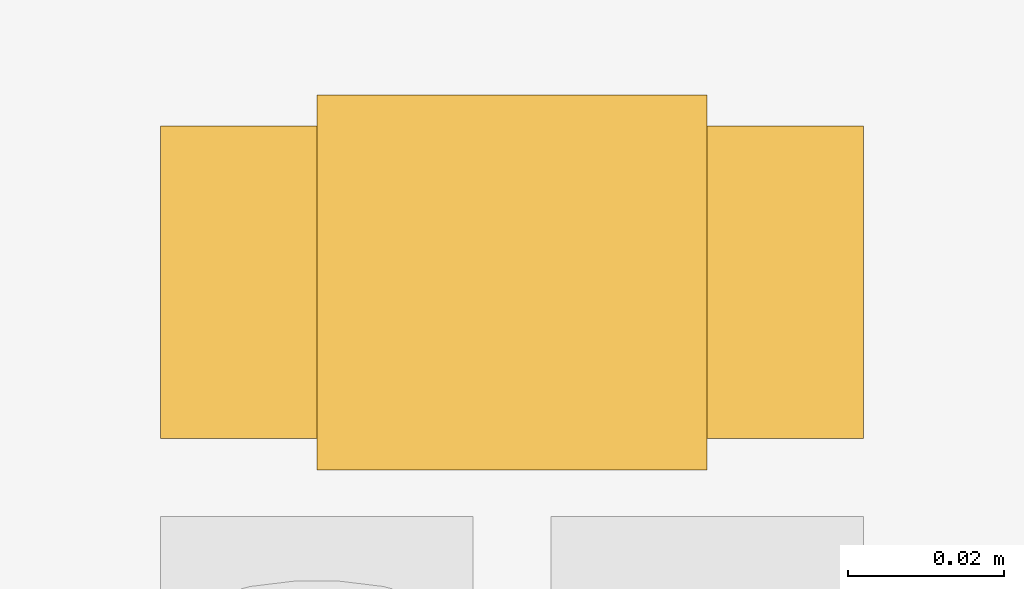
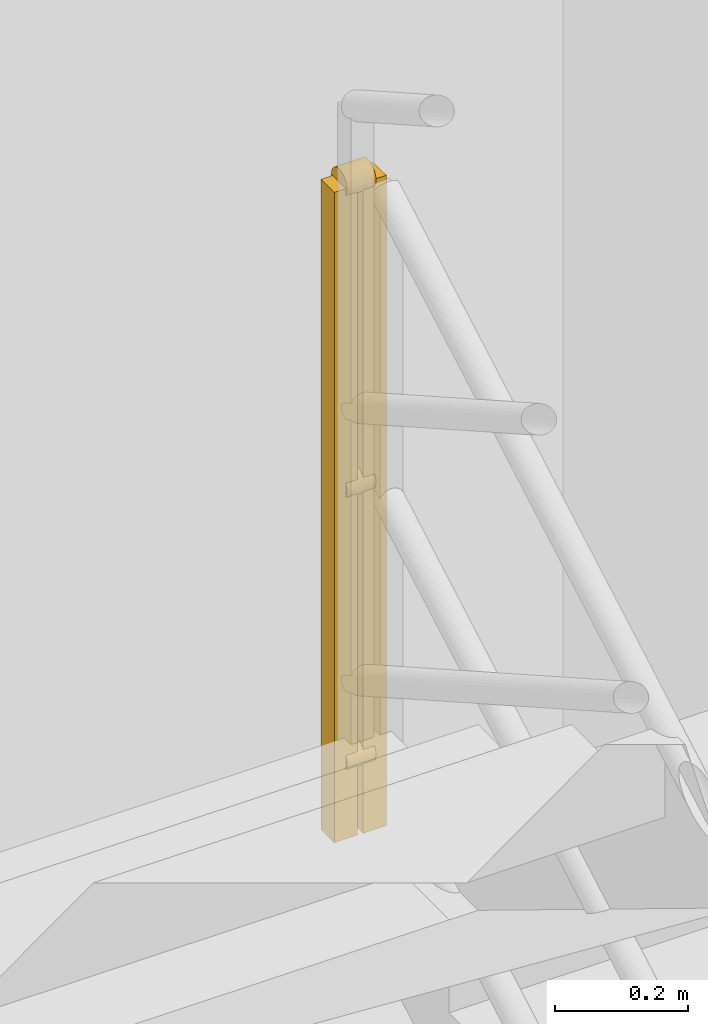
# One storey, part 10 of 16: 1 railing.
"""IFC4 building model written with IfcOpenShell, lengths in metres."""

from ifc_helpers import new_model, entity, si_unit, converted_unit, direction, frame, origin_with_axes, origin_2d_with_axis, place, context, subcontext, project, spatial, rectangle, circle, extrude, material, type_object, element, save


model = new_model("IFC4")

# Units and contexts
model_context = context("Model", 3, precision=1e-05, world=origin_with_axes(), true_north=direction((0.0, 1.0)))
body_context = subcontext(model_context, "Body", "Model", "MODEL_VIEW")
ifc_project = project(units=[si_unit("LENGTHUNIT", "METRE"), si_unit("AREAUNIT", "SQUARE_METRE"), si_unit("VOLUMEUNIT", "CUBIC_METRE"), converted_unit("PLANEANGLEUNIT", "DEGREE", entity("IfcPlaneAngleMeasure", 0.017453292519943295), si_unit("PLANEANGLEUNIT", "RADIAN"), dimensions=[0, 0, 0, 0, 0, 0, 0]), si_unit("MASSUNIT", "GRAM", prefix="KILO"), si_unit("THERMODYNAMICTEMPERATUREUNIT", "KELVIN")], contexts=[model_context])

# Site, building, storey
site_placement = place(None, origin_with_axes())
site = spatial("IfcSite", under=ifc_project, at=site_placement, CompositionType="ELEMENT")
building_placement = place(site_placement, origin_with_axes())
building = spatial("IfcBuilding", under=site, at=building_placement, Name="Varnlund Millrace Tower", CompositionType="ELEMENT")
storey_placement = place(building_placement, frame((0.0, 0.0, 187.5), z_axis=(0.0, 0.0, 1.0), x_axis=(1.0, 0.0, 0.0)))
storey = spatial("IfcBuildingStorey", under=building, at=storey_placement, Name="L46", CompositionType="ELEMENT", Elevation=187.5)

# Railing
ifc_material = material(Name="Painted steel stair well balustrade guard", Category="steel")
railing_type = type_object("IfcRailingType", Name="Type-StairGuard-1150", PredefinedType="GUARDRAIL", material=ifc_material)
railing_placement = place(storey_placement, frame((0.0, 0.0, -187.5), z_axis=(0.0, 0.0, 1.0), x_axis=(1.0, 0.0, 0.0)))
element("IfcRailing", 1, at=railing_placement, inside=storey, type_object=railing_type, Name="Type-StairGuard-1150", PredefinedType="GUARDRAIL", context=body_context, shape_type="SweptSolid", body=[
    extrude(circle(Radius=0.024, at=origin_2d_with_axis()), frame((13.625, 16.95, 191.2), z_axis=(1.0, 0.0, 0.0), x_axis=(0.0, 1.0, 0.0)), (0.0, 0.0, 1.0), 0.05),
    extrude(circle(Radius=0.024, at=origin_2d_with_axis()), frame((13.625, 16.95, 190.15), z_axis=(1.0, 0.0, 0.0), x_axis=(0.0, 1.0, 0.0)), (0.0, 0.0, 1.0), 0.05),
    extrude(circle(Radius=0.024, at=origin_2d_with_axis()), frame((13.625, 16.95, 190.648), z_axis=(1.0, 0.0, 0.0), x_axis=(0.0, 1.0, 0.0)), (0.0, 0.0, 1.0), 0.05),
    extrude(rectangle(XDim=0.04, YDim=0.04, at=origin_2d_with_axis()), frame((13.625, 16.95, 190.01), z_axis=(0.0, 0.0, 1.0), x_axis=(1.0, 0.0, 0.0)), (0.0, 0.0, 1.0), 1.19),
    extrude(rectangle(XDim=0.04, YDim=0.04, at=origin_2d_with_axis()), frame((13.675, 16.95, 190.01), z_axis=(0.0, 0.0, 1.0), x_axis=(1.0, 0.0, 0.0)), (0.0, 0.0, 1.0), 1.19),
])

save(model, "model.ifc")
